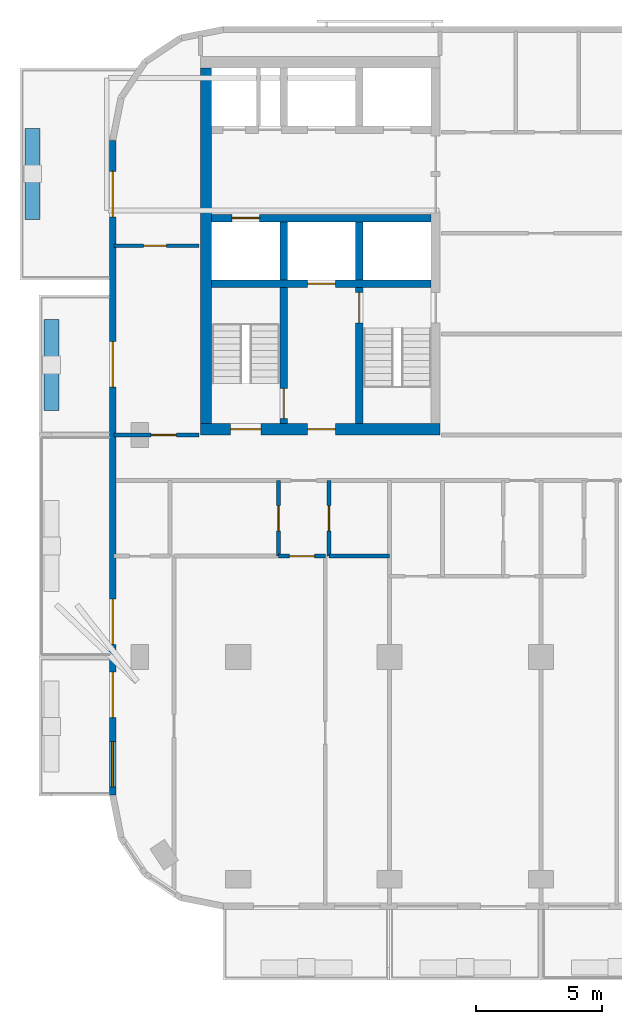
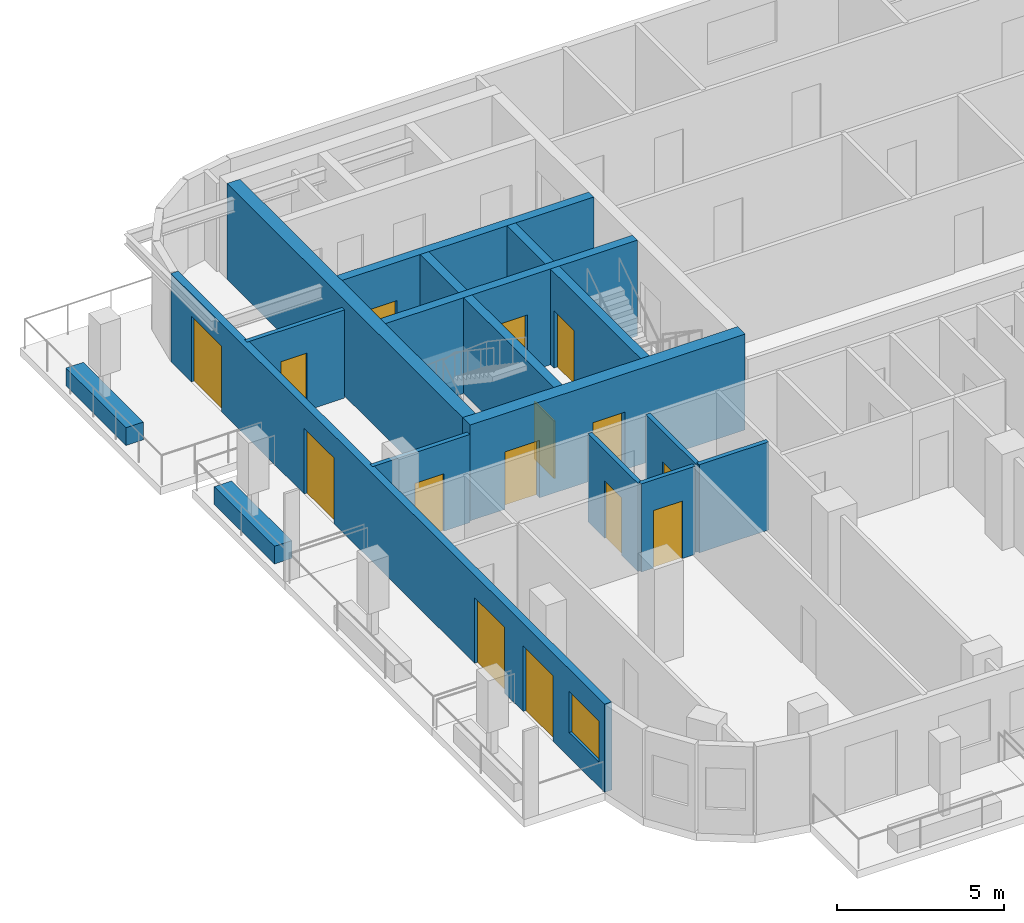
# One storey, part 3 of 11: 17 walls, 15 doors, 1 window, 16 openings.
"""IFC4 building model written with IfcOpenShell, lengths in metres."""

from ifc_helpers import new_model, si_unit, direction, frame, frame_2d, origin, place, context, subcontext, project, spatial, rectangle, extrude, material, layer, layer_set, type_object, element, fill, save


model = new_model("IFC4")

# Units and contexts
model_context = context("Model", 3, precision=1e-05, world=origin(), true_north=direction((0.0, 1.0)))
body_context = subcontext(model_context, "Body", "Model", "MODEL_VIEW")
ifc_project = project(units=[si_unit("LENGTHUNIT", "METRE"), si_unit("AREAUNIT", "SQUARE_METRE"), si_unit("VOLUMEUNIT", "CUBIC_METRE"), si_unit("PLANEANGLEUNIT", "RADIAN"), si_unit("MASSUNIT", "GRAM", prefix="KILO")], contexts=[model_context])

# Site, building, storey
site_placement = place(None, origin())
site = spatial("IfcSite", under=ifc_project, at=site_placement, CompositionType="ELEMENT")
building_placement = place(site_placement, origin())
building = spatial("IfcBuilding", under=site, at=building_placement, Name="Torana Hotel and Residences", CompositionType="ELEMENT")
storey_placement = place(building_placement, frame((0.0, 0.0, 252.60009765625)))
storey = spatial("IfcBuildingStorey", under=building, at=storey_placement, Name="L66", CompositionType="ELEMENT", Elevation=252.60009765625)

# Wall, opening, door
ifc_material_1 = material(Name="Concrete C60/75", Category="concrete")
ifc_layer_1 = layer(ifc_material_1, 0.300048828125)
ifc_layer_set_1 = layer_set([ifc_layer_1], Name="CORE WALL 300 C60/75")
wall_type_1 = type_object("IfcWallType", Name="CORE WALL 300 C60/75", PredefinedType="SHEAR", material=ifc_layer_set_1)
wall_1_placement = place(storey_placement, frame((-19.050048828125, -6.39990234375, 0.0), z_axis=(0.0, 0.0, 1.0), x_axis=(1.0, 0.0, 0.0)))
wall_1 = element("IfcWall", 1, at=wall_1_placement, inside=storey, type_object=wall_type_1, Name="Core wall W row-S", PredefinedType="SHEAR", context=body_context, shape_type="SweptSolid", body=[
    extrude(rectangle(XDim=8.699951171875, YDim=0.300048828125, at=frame_2d((4.35009765625, 0.0))), origin(), (0.0, 0.0, 1.0), 3.5),
])
opening_1_placement = place(wall_1_placement, frame((0.800048828125, 0.0, 0.0)))
opening_1 = element("IfcOpeningElement", 2, at=opening_1_placement, cuts=wall_1, Name="Opening LD", PredefinedType="OPENING", context=body_context, shape_type="SweptSolid", body=[
    extrude(rectangle(XDim=1.10009765625, YDim=2.10009765625, at=frame_2d((0.550048828125, 1.050048828125))), frame((0.0, 0.159912109375, 0.0), z_axis=(0.0, -1.0, 0.0), x_axis=(1.0, 0.0, 0.0)), (0.0, 0.0, 1.0), 0.320068359375),
])
ifc_material_2 = material(Name="Stainless steel 316", Category="steel")
door_type_1 = type_object("IfcDoorType", Name="LIFT LANDING DOOR LD 1100x2100", OperationType="DOUBLE_DOOR_SLIDING", PredefinedType="USERDEFINED", material=ifc_material_2)
door_1_placement = place(opening_1_placement, origin())
door_1 = element("IfcDoor", 3, at=door_1_placement, inside=storey, type_object=door_type_1, Name="Lift landing door SV1 L66", ObjectType="LIFT LANDING DOOR", OperationType="DOUBLE_DOOR_SLIDING", OverallHeight=2.10009765625, OverallWidth=1.10009765625, PredefinedType="USERDEFINED", context=body_context, shape_type="SweptSolid", body=[
    extrude(rectangle(XDim=1.10009765625, YDim=2.10009765625, at=frame_2d((0.550048828125, 1.050048828125))), frame((0.0, 0.02490234375, 0.0), z_axis=(0.0, -1.0, 0.0), x_axis=(1.0, 0.0, 0.0)), (0.0, 0.0, 1.0), 0.050048828125),
])
fill(opening_1, door_1)

wall_2_placement = place(storey_placement, frame((-19.050048828125, -9.0, 0.0), z_axis=(0.0, 0.0, 1.0), x_axis=(1.0, 0.0, 0.0)))
wall_2 = element("IfcWall", 4, at=wall_2_placement, inside=storey, type_object=wall_type_1, Name="Core wall W band", PredefinedType="SHEAR", context=body_context, shape_type="SweptSolid", body=[
    extrude(rectangle(XDim=8.699951171875, YDim=0.300048828125, at=frame_2d((4.35009765625, 0.0))), origin(), (0.0, 0.0, 1.0), 3.5),
])
opening_2_placement = place(wall_2_placement, frame((3.800048828125, 0.0, 0.0)))
opening_2 = element("IfcOpeningElement", 5, at=opening_2_placement, cuts=wall_2, Name="Opening LD", PredefinedType="OPENING", context=body_context, shape_type="SweptSolid", body=[
    extrude(rectangle(XDim=1.10009765625, YDim=2.10009765625, at=frame_2d((0.550048828125, 1.050048828125))), frame((0.0, 0.159912109375, 0.0), z_axis=(0.0, -1.0, 0.0), x_axis=(1.0, 0.0, 0.0)), (0.0, 0.0, 1.0), 0.320068359375),
])
door_2_placement = place(opening_2_placement, origin())
door_2 = element("IfcDoor", 6, at=door_2_placement, inside=storey, type_object=door_type_1, Name="Lift landing door FF1 L66", ObjectType="LIFT LANDING DOOR", OperationType="DOUBLE_DOOR_SLIDING", OverallHeight=2.10009765625, OverallWidth=1.10009765625, PredefinedType="USERDEFINED", context=body_context, shape_type="SweptSolid", body=[
    extrude(rectangle(XDim=1.10009765625, YDim=2.10009765625, at=frame_2d((0.550048828125, 1.050048828125))), frame((0.0, 0.02490234375, 0.0), z_axis=(0.0, -1.0, 0.0), x_axis=(1.0, 0.0, 0.0)), (0.0, 0.0, 1.0), 0.050048828125),
])
fill(opening_2, door_2)

# Wall
wall_3_placement = place(storey_placement, frame((-13.199951171875, -8.85009765625, 0.0), z_axis=(0.0, 0.0, 1.0), x_axis=(0.0, 1.0, 0.0)))
element("IfcWall", 7, at=wall_3_placement, inside=storey, type_object=wall_type_1, Name="Core wall W x3.05-S", PredefinedType="SHEAR", context=body_context, shape_type="SweptSolid", body=[
    extrude(rectangle(XDim=2.300048828125, YDim=0.300048828125, at=frame_2d((1.14990234375, 0.0))), origin(), (0.0, 0.0, 1.0), 3.5),
])

# Wall, opening, door
wall_4_placement = place(storey_placement, frame((-13.199951171875, -14.550048828125, 0.0), z_axis=(0.0, 0.0, 1.0), x_axis=(0.0, 1.0, 0.0)))
wall_4 = element("IfcWall", 8, at=wall_4_placement, inside=storey, type_object=wall_type_1, Name="Core wall W x3.05-band", PredefinedType="SHEAR", context=body_context, shape_type="SweptSolid", body=[
    extrude(rectangle(XDim=5.400146484375, YDim=0.300048828125, at=frame_2d((2.7001953125, 0.0))), origin(), (0.0, 0.0, 1.0), 3.5),
])
opening_3_placement = place(wall_4_placement, frame((4.0, 0.0, 0.0)))
opening_3 = element("IfcOpeningElement", 9, at=opening_3_placement, cuts=wall_4, Name="Opening L66-08", PredefinedType="OPENING", context=body_context, shape_type="SweptSolid", body=[
    extrude(rectangle(XDim=1.199951171875, YDim=2.10009765625, at=frame_2d((0.60009765625, 1.050048828125))), frame((0.0, 0.159912109375, 0.0), z_axis=(0.0, -1.0, 0.0), x_axis=(1.0, 0.0, 0.0)), (0.0, 0.0, 1.0), 0.320068359375),
])
ifc_material_3 = material(Name="Steel S235", Category="steel")
door_type_2 = type_object("IfcDoorType", Name="STAIR FIRE DOOR D3 1200x2100", OperationType="SINGLE_SWING_LEFT", PredefinedType="DOOR", material=ifc_material_3)
door_3_placement = place(opening_3_placement, frame((0.60009765625, 0.0, 0.0), z_axis=(0.0, 0.0, 1.0), x_axis=(-1.0, 0.0, 0.0)))
door_3 = element("IfcDoor", 10, at=door_3_placement, inside=storey, type_object=door_type_2, Name="Stair-A-lobby door L66", OperationType="SINGLE_SWING_RIGHT", OverallHeight=2.10009765625, OverallWidth=1.199951171875, PredefinedType="DOOR", context=body_context, shape_type="SweptSolid", body=[
    extrude(rectangle(XDim=1.199951171875, YDim=2.10009765625, at=frame_2d((0.0, 1.050048828125))), frame((0.0, -0.02490234375, 0.0), z_axis=(0.0, 1.0, 0.0), x_axis=(-1.0, 0.0, 0.0)), (0.0, 0.0, 1.0), 0.050048828125),
])
fill(opening_3, door_3)

# Wall
wall_5_placement = place(storey_placement, frame((-16.199951171875, -8.85009765625, 0.0), z_axis=(0.0, 0.0, 1.0), x_axis=(0.0, 1.0, 0.0)))
element("IfcWall", 11, at=wall_5_placement, inside=storey, type_object=wall_type_1, Name="Core wall W x6.05-S", PredefinedType="SHEAR", context=body_context, shape_type="SweptSolid", body=[
    extrude(rectangle(XDim=2.300048828125, YDim=0.300048828125, at=frame_2d((1.14990234375, 0.0))), origin(), (0.0, 0.0, 1.0), 3.5),
])

# Wall, opening, door
wall_6_placement = place(storey_placement, frame((-16.199951171875, -14.550048828125, 0.0), z_axis=(0.0, 0.0, 1.0), x_axis=(0.0, 1.0, 0.0)))
wall_6 = element("IfcWall", 12, at=wall_6_placement, inside=storey, type_object=wall_type_1, Name="Core wall W x6.05-band", PredefinedType="SHEAR", context=body_context, shape_type="SweptSolid", body=[
    extrude(rectangle(XDim=5.400146484375, YDim=0.300048828125, at=frame_2d((2.7001953125, 0.0))), origin(), (0.0, 0.0, 1.0), 3.5),
])
opening_4_placement = place(wall_6_placement, frame((0.199951171875, 0.0, 0.0)))
opening_4 = element("IfcOpeningElement", 13, at=opening_4_placement, cuts=wall_6, Name="Opening L66-09", PredefinedType="OPENING", context=body_context, shape_type="SweptSolid", body=[
    extrude(rectangle(XDim=1.199951171875, YDim=2.10009765625, at=frame_2d((0.60009765625, 1.050048828125))), frame((0.0, 0.159912109375, 0.0), z_axis=(0.0, -1.0, 0.0), x_axis=(1.0, 0.0, 0.0)), (0.0, 0.0, 1.0), 0.320068359375),
])
door_4_placement = place(opening_4_placement, origin())
door_4 = element("IfcDoor", 14, at=door_4_placement, inside=storey, type_object=door_type_2, Name="Stair-B-lobby door L66", OperationType="SINGLE_SWING_RIGHT", OverallHeight=2.10009765625, OverallWidth=1.199951171875, PredefinedType="DOOR", context=body_context, shape_type="SweptSolid", body=[
    extrude(rectangle(XDim=1.199951171875, YDim=2.10009765625, at=frame_2d((0.60009765625, 1.050048828125))), frame((0.0, 0.02490234375, 0.0), z_axis=(0.0, -1.0, 0.0), x_axis=(1.0, 0.0, 0.0)), (0.0, 0.0, 1.0), 0.050048828125),
])
fill(opening_4, door_4)

# Wall, openings, doors
ifc_material_4 = material(Name="Concrete C60/75", Category="concrete")
ifc_layer_2 = layer(ifc_material_4, 0.449951171875)
ifc_layer_set_2 = layer_set([ifc_layer_2], Name="CORE WALL 450 C60/75")
wall_type_2 = type_object("IfcWallType", Name="CORE WALL 450 C60/75", PredefinedType="SHEAR", material=ifc_layer_set_2)
wall_7_placement = place(storey_placement, frame((-19.5, -14.77490234375, 0.0), z_axis=(0.0, 0.0, 1.0), x_axis=(1.0, 0.0, 0.0)))
wall_7 = element("IfcWall", 15, at=wall_7_placement, inside=storey, type_object=wall_type_2, Name="Core wall W front", PredefinedType="SHEAR", context=body_context, shape_type="SweptSolid", body=[
    extrude(rectangle(XDim=9.5, YDim=0.449951171875, at=frame_2d((4.75, 0.0))), origin(), (0.0, 0.0, 1.0), 3.5),
])
opening_5_placement = place(wall_7_placement, frame((1.199951171875, 0.0, 0.0)))
opening_5 = element("IfcOpeningElement", 16, at=opening_5_placement, cuts=wall_7, Name="Opening L66-04", PredefinedType="OPENING", context=body_context, shape_type="SweptSolid", body=[
    extrude(rectangle(XDim=1.199951171875, YDim=2.10009765625, at=frame_2d((0.60009765625, 1.050048828125))), frame((0.0, 0.23486328125, 0.0), z_axis=(0.0, -1.0, 0.0), x_axis=(1.0, 0.0, 0.0)), (0.0, 0.0, 1.0), 0.469970703125),
])
opening_6_placement = place(wall_7_placement, frame((4.25, 0.0, 0.0)))
opening_6 = element("IfcOpeningElement", 17, at=opening_6_placement, cuts=wall_7, Name="Opening L66-05", PredefinedType="OPENING", context=body_context, shape_type="SweptSolid", body=[
    extrude(rectangle(XDim=1.10009765625, YDim=2.10009765625, at=frame_2d((0.550048828125, 1.050048828125))), frame((0.0, 0.23486328125, 0.0), z_axis=(0.0, -1.0, 0.0), x_axis=(1.0, 0.0, 0.0)), (0.0, 0.0, 1.0), 0.469970703125),
])
ifc_material_5 = material(Name="Steel S235", Category="steel")
door_type_3 = type_object("IfcDoorType", Name="FIRE-FIGHTING LOBBY DOOR D8 1100x2100", OperationType="SINGLE_SWING_LEFT", PredefinedType="DOOR", material=ifc_material_5)
door_5_placement = place(opening_6_placement, origin())
door_5 = element("IfcDoor", 18, at=door_5_placement, inside=storey, type_object=door_type_3, Name="FF-lobby door L66", OperationType="SINGLE_SWING_RIGHT", OverallHeight=2.10009765625, OverallWidth=1.10009765625, PredefinedType="DOOR", context=body_context, shape_type="SweptSolid", body=[
    extrude(rectangle(XDim=1.10009765625, YDim=2.10009765625, at=frame_2d((0.550048828125, 1.050048828125))), frame((0.0, 0.02490234375, 0.0), z_axis=(0.0, -1.0, 0.0), x_axis=(1.0, 0.0, 0.0)), (0.0, 0.0, 1.0), 0.050048828125),
])
fill(opening_6, door_5)
door_6_placement = place(opening_5_placement, origin())
door_6 = element("IfcDoor", 19, at=door_6_placement, inside=storey, type_object=door_type_2, Name="Stair-B door L66", OperationType="SINGLE_SWING_RIGHT", OverallHeight=2.10009765625, OverallWidth=1.199951171875, PredefinedType="DOOR", context=body_context, shape_type="SweptSolid", body=[
    extrude(rectangle(XDim=1.199951171875, YDim=2.10009765625, at=frame_2d((0.60009765625, 1.050048828125))), frame((0.0, 0.02490234375, 0.0), z_axis=(0.0, -1.0, 0.0), x_axis=(1.0, 0.0, 0.0)), (0.0, 0.0, 1.0), 0.050048828125),
])
fill(opening_5, door_6)

# Wall
wall_8_placement = place(storey_placement, frame((-19.27490234375, -14.550048828125, 0.0), z_axis=(0.0, 0.0, 1.0), x_axis=(0.0, 1.0, 0.0)))
element("IfcWall", 20, at=wall_8_placement, inside=storey, type_object=wall_type_2, Name="Core wall W outer", PredefinedType="SHEAR", context=body_context, shape_type="SweptSolid", body=[
    extrude(rectangle(XDim=14.10009765625, YDim=0.449951171875, at=frame_2d((7.050048828125, 0.0))), origin(), (0.0, 0.0, 1.0), 3.5),
])

# Wall, openings, doors, window
ifc_material_6 = material(Name="Black aluminium composite panel", Category="aluminium")
ifc_layer_3 = layer(ifc_material_6, 0.00390625, Name="Cladding", Category="cladding")
ifc_material_7 = material(Name="Ventilated air cavity")
ifc_layer_4 = layer(ifc_material_7, 0.0400390625, Name="Ventilated cavity", Category="cavity")
ifc_material_8 = material(Name="Mineral wool insulation")
ifc_layer_5 = layer(ifc_material_8, 0.090087890625, Name="Insulation", Category="insulation")
ifc_material_9 = material(Name="Steel S280GD", Category="steel")
ifc_layer_6 = layer(ifc_material_9, 0.092041015625, Name="Steel stud frame", Category="structure")
ifc_material_10 = material(Name="Fire rated plasterboard")
ifc_layer_7 = layer(ifc_material_10, 0.011962890625, Name="Inner board", Category="finish")
ifc_layer_8 = layer(ifc_material_10, 0.011962890625, Name="Second board", Category="finish")
ifc_layer_set_3 = layer_set([ifc_layer_3, ifc_layer_4, ifc_layer_5, ifc_layer_6, ifc_layer_7, ifc_layer_8], Name="EW1 EXTERNAL WALL BLACK METAL CLAD 250")
wall_type_3 = type_object("IfcWallType", Name="EW1 EXTERNAL WALL BLACK METAL CLAD 250", PredefinedType="SOLIDWALL", material=ifc_layer_set_3)
wall_9_placement = place(storey_placement, frame((-22.97509765625, -3.32470703125, 0.0), z_axis=(0.0, 0.0, 1.0), x_axis=(0.0, -1.0, 0.0)))
wall_9 = element("IfcWall", 21, at=wall_9_placement, inside=storey, type_object=wall_type_3, Name="External wall L66 e0.9", PredefinedType="SOLIDWALL", context=body_context, shape_type="SweptSolid", body=[
    extrude(rectangle(XDim=25.95068359375, YDim=0.25, at=frame_2d((12.975341796875, 0.0))), origin(), (0.0, 0.0, 1.0), 3.219970703125),
])
opening_7_placement = place(wall_9_placement, frame((1.225341796875, 0.0, 0.0)))
opening_7 = element("IfcOpeningElement", 22, at=opening_7_placement, cuts=wall_9, Name="Opening L66-E11", PredefinedType="OPENING", context=body_context, shape_type="SweptSolid", body=[
    extrude(rectangle(XDim=1.800048828125, YDim=2.39990234375, at=frame_2d((0.89990234375, 1.199951171875))), frame((0.0, 0.135009765625, 0.0), z_axis=(0.0, -1.0, 0.0), x_axis=(1.0, 0.0, 0.0)), (0.0, 0.0, 1.0), 0.27001953125),
])
opening_8_placement = place(wall_9_placement, frame((7.975341796875, 0.0, 0.0)))
opening_8 = element("IfcOpeningElement", 23, at=opening_8_placement, cuts=wall_9, Name="Opening L66-E12", PredefinedType="OPENING", context=body_context, shape_type="SweptSolid", body=[
    extrude(rectangle(XDim=1.800048828125, YDim=2.39990234375, at=frame_2d((0.89990234375, 1.199951171875))), frame((0.0, 0.135009765625, 0.0), z_axis=(0.0, -1.0, 0.0), x_axis=(1.0, 0.0, 0.0)), (0.0, 0.0, 1.0), 0.27001953125),
])
opening_9_placement = place(wall_9_placement, frame((18.17529296875, 0.0, 0.0)))
opening_9 = element("IfcOpeningElement", 24, at=opening_9_placement, cuts=wall_9, Name="Opening L66-E13", PredefinedType="OPENING", context=body_context, shape_type="SweptSolid", body=[
    extrude(rectangle(XDim=1.800048828125, YDim=2.39990234375, at=frame_2d((0.89990234375, 1.199951171875))), frame((0.0, 0.135009765625, 0.0), z_axis=(0.0, -1.0, 0.0), x_axis=(1.0, 0.0, 0.0)), (0.0, 0.0, 1.0), 0.27001953125),
])
opening_10_placement = place(wall_9_placement, frame((21.075439453125, 0.0, 0.0)))
opening_10 = element("IfcOpeningElement", 25, at=opening_10_placement, cuts=wall_9, Name="Opening L66-E14", PredefinedType="OPENING", context=body_context, shape_type="SweptSolid", body=[
    extrude(rectangle(XDim=1.800048828125, YDim=2.39990234375, at=frame_2d((0.89990234375, 1.199951171875))), frame((0.0, 0.135009765625, 0.0), z_axis=(0.0, -1.0, 0.0), x_axis=(1.0, 0.0, 0.0)), (0.0, 0.0, 1.0), 0.27001953125),
])
opening_11_placement = place(wall_9_placement, frame((23.825439453125, 0.0, 0.89990234375)))
opening_11 = element("IfcOpeningElement", 26, at=opening_11_placement, cuts=wall_9, Name="Opening W4", PredefinedType="OPENING", context=body_context, shape_type="SweptSolid", body=[
    extrude(rectangle(XDim=1.800048828125, YDim=1.5, at=frame_2d((0.89990234375, 0.75))), frame((0.0, 0.135009765625, 0.0), z_axis=(0.0, -1.0, 0.0), x_axis=(1.0, 0.0, 0.0)), (0.0, 0.0, 1.0), 0.27001953125),
])
ifc_material_11 = material(Name="Dark glass in black aluminium frame", Category="aluminium")
door_type_4 = type_object("IfcDoorType", Name="DB1 BALCONY DOOR 1800x2400", OperationType="DOUBLE_DOOR_SINGLE_SWING", PredefinedType="DOOR", material=ifc_material_11)
door_7_placement = place(opening_7_placement, origin())
door_7 = element("IfcDoor", 27, at=door_7_placement, inside=storey, type_object=door_type_4, Name="Balcony door L66", OperationType="DOUBLE_DOOR_SINGLE_SWING", OverallHeight=2.39990234375, OverallWidth=1.800048828125, PredefinedType="DOOR", context=body_context, shape_type="SweptSolid", body=[
    extrude(rectangle(XDim=1.800048828125, YDim=2.39990234375, at=frame_2d((0.89990234375, 1.199951171875))), frame((0.0, 0.02490234375, 0.0), z_axis=(0.0, -1.0, 0.0), x_axis=(1.0, 0.0, 0.0)), (0.0, 0.0, 1.0), 0.050048828125),
])
fill(opening_7, door_7)
door_8_placement = place(opening_8_placement, origin())
door_8 = element("IfcDoor", 28, at=door_8_placement, inside=storey, type_object=door_type_4, Name="Balcony door L66", OperationType="DOUBLE_DOOR_SINGLE_SWING", OverallHeight=2.39990234375, OverallWidth=1.800048828125, PredefinedType="DOOR", context=body_context, shape_type="SweptSolid", body=[
    extrude(rectangle(XDim=1.800048828125, YDim=2.39990234375, at=frame_2d((0.89990234375, 1.199951171875))), frame((0.0, 0.02490234375, 0.0), z_axis=(0.0, -1.0, 0.0), x_axis=(1.0, 0.0, 0.0)), (0.0, 0.0, 1.0), 0.050048828125),
])
fill(opening_8, door_8)
door_9_placement = place(opening_9_placement, origin())
door_9 = element("IfcDoor", 29, at=door_9_placement, inside=storey, type_object=door_type_4, Name="Balcony door L66", OperationType="DOUBLE_DOOR_SINGLE_SWING", OverallHeight=2.39990234375, OverallWidth=1.800048828125, PredefinedType="DOOR", context=body_context, shape_type="SweptSolid", body=[
    extrude(rectangle(XDim=1.800048828125, YDim=2.39990234375, at=frame_2d((0.89990234375, 1.199951171875))), frame((0.0, 0.02490234375, 0.0), z_axis=(0.0, -1.0, 0.0), x_axis=(1.0, 0.0, 0.0)), (0.0, 0.0, 1.0), 0.050048828125),
])
fill(opening_9, door_9)
door_10_placement = place(opening_10_placement, origin())
door_10 = element("IfcDoor", 30, at=door_10_placement, inside=storey, type_object=door_type_4, Name="Balcony door L66", OperationType="DOUBLE_DOOR_SINGLE_SWING", OverallHeight=2.39990234375, OverallWidth=1.800048828125, PredefinedType="DOOR", context=body_context, shape_type="SweptSolid", body=[
    extrude(rectangle(XDim=1.800048828125, YDim=2.39990234375, at=frame_2d((0.89990234375, 1.199951171875))), frame((0.0, 0.02490234375, 0.0), z_axis=(0.0, -1.0, 0.0), x_axis=(1.0, 0.0, 0.0)), (0.0, 0.0, 1.0), 0.050048828125),
])
fill(opening_10, door_10)
ifc_material_12 = material(Name="Dark glass in black aluminium frame", Category="aluminium")
window_type = type_object("IfcWindowType", Name="W4 RESIDENCE WINDOW NARROW 1800x1500", PartitioningType="SINGLE_PANEL", PredefinedType="WINDOW", material=ifc_material_12)
window_placement = place(opening_11_placement, origin())
window = element("IfcWindow", 31, at=window_placement, inside=storey, type_object=window_type, Name="Window L66", OverallHeight=1.5, OverallWidth=1.800048828125, PartitioningType="SINGLE_PANEL", PredefinedType="WINDOW", context=body_context, shape_type="SweptSolid", body=[
    extrude(rectangle(XDim=1.800048828125, YDim=1.5, at=frame_2d((0.89990234375, 0.75))), frame((0.0, 0.030029296875, 0.0), z_axis=(0.0, -1.0, 0.0), x_axis=(1.0, 0.0, 0.0)), (0.0, 0.0, 1.0), 0.06005859375),
])
fill(opening_11, window)

# Wall, opening, door
ifc_material_13 = material(Name="Gypsum plaster")
ifc_layer_9 = layer(ifc_material_13, 0.014892578125, Name="Plaster", Category="finish")
ifc_material_14 = material(Name="Concrete blockwork", Category="masonry")
ifc_layer_10 = layer(ifc_material_14, 0.1201171875, Name="Blockwork", Category="structure")
ifc_layer_11 = layer(ifc_material_13, 0.014892578125, Name="Plaster", Category="finish")
ifc_layer_set_4 = layer_set([ifc_layer_9, ifc_layer_10, ifc_layer_11], Name="FIRE PARTITION 150 BLOCKWORK")
wall_type_4 = type_object("IfcWallType", Name="FIRE PARTITION 150 BLOCKWORK", PredefinedType="PARTITIONING", material=ifc_layer_set_4)
wall_10_placement = place(storey_placement, frame((-14.39990234375, -19.800048828125, 0.0), z_axis=(0.0, 0.0, 1.0), x_axis=(0.0, 1.0, 0.0)))
wall_10 = element("IfcWall", 32, at=wall_10_placement, inside=storey, type_object=wall_type_4, Name="Partition L66", PredefinedType="PARTITIONING", context=body_context, shape_type="SweptSolid", body=[
    extrude(rectangle(XDim=3.0, YDim=0.14990234375, at=frame_2d((1.5, 0.0))), origin(), (0.0, 0.0, 1.0), 3.219970703125),
])
opening_12_placement = place(wall_10_placement, frame((1.0, 0.0, 0.0)))
opening_12 = element("IfcOpeningElement", 33, at=opening_12_placement, cuts=wall_10, Name="Opening L66-47", PredefinedType="OPENING", context=body_context, shape_type="SweptSolid", body=[
    extrude(rectangle(XDim=1.0, YDim=2.10009765625, at=frame_2d((0.5, 1.050048828125))), frame((0.0, 0.0849609375, 0.0), z_axis=(0.0, -1.0, 0.0), x_axis=(1.0, 0.0, 0.0)), (0.0, 0.0, 1.0), 0.169921875),
])
ifc_material_15 = material(Name="Steel S235", Category="steel")
door_type_5 = type_object("IfcDoorType", Name="ENTRY FIRE DOOR D6 1000x2100", OperationType="SINGLE_SWING_LEFT", PredefinedType="DOOR", material=ifc_material_15)
door_11_placement = place(opening_12_placement, frame((0.5, 0.0, 0.0), z_axis=(0.0, 0.0, 1.0), x_axis=(-1.0, 0.0, 0.0)))
door_11 = element("IfcDoor", 34, at=door_11_placement, inside=storey, type_object=door_type_5, Name="Door L66", OperationType="SINGLE_SWING_LEFT", OverallHeight=2.10009765625, OverallWidth=1.0, PredefinedType="DOOR", context=body_context, shape_type="SweptSolid", body=[
    extrude(rectangle(XDim=1.0, YDim=2.10009765625, at=frame_2d((0.0, 1.050048828125))), frame((0.0, -0.02490234375, 0.0), z_axis=(0.0, 1.0, 0.0), x_axis=(-1.0, 0.0, 0.0)), (0.0, 0.0, 1.0), 0.050048828125),
])
fill(opening_12, door_11)

wall_11_placement = place(storey_placement, frame((-16.39990234375, -19.800048828125, 0.0), z_axis=(0.0, 0.0, 1.0), x_axis=(0.0, 1.0, 0.0)))
wall_11 = element("IfcWall", 35, at=wall_11_placement, inside=storey, type_object=wall_type_4, Name="Partition L66", PredefinedType="PARTITIONING", context=body_context, shape_type="SweptSolid", body=[
    extrude(rectangle(XDim=3.0, YDim=0.14990234375, at=frame_2d((1.5, 0.0))), origin(), (0.0, 0.0, 1.0), 3.219970703125),
])
opening_13_placement = place(wall_11_placement, frame((1.0, 0.0, 0.0)))
opening_13 = element("IfcOpeningElement", 36, at=opening_13_placement, cuts=wall_11, Name="Opening L66-48", PredefinedType="OPENING", context=body_context, shape_type="SweptSolid", body=[
    extrude(rectangle(XDim=1.0, YDim=2.10009765625, at=frame_2d((0.5, 1.050048828125))), frame((0.0, 0.0849609375, 0.0), z_axis=(0.0, -1.0, 0.0), x_axis=(1.0, 0.0, 0.0)), (0.0, 0.0, 1.0), 0.169921875),
])
door_12_placement = place(opening_13_placement, origin())
door_12 = element("IfcDoor", 37, at=door_12_placement, inside=storey, type_object=door_type_5, Name="Door L66", OperationType="SINGLE_SWING_RIGHT", OverallHeight=2.10009765625, OverallWidth=1.0, PredefinedType="DOOR", context=body_context, shape_type="SweptSolid", body=[
    extrude(rectangle(XDim=1.0, YDim=2.10009765625, at=frame_2d((0.5, 1.050048828125))), frame((0.0, 0.02490234375, 0.0), z_axis=(0.0, -1.0, 0.0), x_axis=(1.0, 0.0, 0.0)), (0.0, 0.0, 1.0), 0.050048828125),
])
fill(opening_13, door_12)

wall_12_placement = place(storey_placement, frame((-16.39990234375, -19.800048828125, 0.0), z_axis=(0.0, 0.0, 1.0), x_axis=(1.0, 0.0, 0.0)))
wall_12 = element("IfcWall", 38, at=wall_12_placement, inside=storey, type_object=wall_type_4, Name="Partition L66", PredefinedType="PARTITIONING", context=body_context, shape_type="SweptSolid", body=[
    extrude(rectangle(XDim=1.849853515625, YDim=0.14990234375, at=frame_2d((0.9248046875, 0.0))), origin(), (0.0, 0.0, 1.0), 3.219970703125),
])
opening_14_placement = place(wall_12_placement, frame((0.425048828125, 0.0, 0.0)))
opening_14 = element("IfcOpeningElement", 39, at=opening_14_placement, cuts=wall_12, Name="Opening L66-49", PredefinedType="OPENING", context=body_context, shape_type="SweptSolid", body=[
    extrude(rectangle(XDim=1.0, YDim=2.10009765625, at=frame_2d((0.5, 1.050048828125))), frame((0.0, 0.0849609375, 0.0), z_axis=(0.0, -1.0, 0.0), x_axis=(1.0, 0.0, 0.0)), (0.0, 0.0, 1.0), 0.169921875),
])
door_13_placement = place(opening_14_placement, frame((0.5, 0.0, 0.0), z_axis=(0.0, 0.0, 1.0), x_axis=(-1.0, 0.0, 0.0)))
door_13 = element("IfcDoor", 40, at=door_13_placement, inside=storey, type_object=door_type_5, Name="Door L66", OperationType="SINGLE_SWING_RIGHT", OverallHeight=2.10009765625, OverallWidth=1.0, PredefinedType="DOOR", context=body_context, shape_type="SweptSolid", body=[
    extrude(rectangle(XDim=1.0, YDim=2.10009765625, at=frame_2d((0.0, 1.050048828125))), frame((0.0, -0.02490234375, 0.0), z_axis=(0.0, 1.0, 0.0), x_axis=(-1.0, 0.0, 0.0)), (0.0, 0.0, 1.0), 0.050048828125),
])
fill(opening_14, door_13)

wall_13_placement = place(storey_placement, frame((-22.919921875, -15.0, 0.0), z_axis=(0.0, 0.0, 1.0), x_axis=(1.0, 0.0, 0.0)))
wall_13 = element("IfcWall", 41, at=wall_13_placement, inside=storey, type_object=wall_type_4, Name="Partition L66", PredefinedType="PARTITIONING", context=body_context, shape_type="SweptSolid", body=[
    extrude(rectangle(XDim=3.369873046875, YDim=0.14990234375, at=frame_2d((1.68505859375, 0.0))), origin(), (0.0, 0.0, 1.0), 3.219970703125),
])
opening_15_placement = place(wall_13_placement, frame((1.469970703125, 0.0, 0.0)))
opening_15 = element("IfcOpeningElement", 42, at=opening_15_placement, cuts=wall_13, Name="Opening L66-29", PredefinedType="OPENING", context=body_context, shape_type="SweptSolid", body=[
    extrude(rectangle(XDim=1.0, YDim=2.10009765625, at=frame_2d((0.5, 1.050048828125))), frame((0.0, 0.0849609375, 0.0), z_axis=(0.0, -1.0, 0.0), x_axis=(1.0, 0.0, 0.0)), (0.0, 0.0, 1.0), 0.169921875),
])
ifc_material_16 = material(Name="Steel S235", Category="steel")
door_type_6 = type_object("IfcDoorType", Name="CORE ROOM FIRE DOOR D14 1000x2100", OperationType="SINGLE_SWING_LEFT", PredefinedType="DOOR", material=ifc_material_16)
door_14_placement = place(opening_15_placement, origin())
door_14 = element("IfcDoor", 43, at=door_14_placement, inside=storey, type_object=door_type_6, Name="Door L66", OperationType="SINGLE_SWING_RIGHT", OverallHeight=2.10009765625, OverallWidth=1.0, PredefinedType="DOOR", context=body_context, shape_type="SweptSolid", body=[
    extrude(rectangle(XDim=1.0, YDim=2.10009765625, at=frame_2d((0.5, 1.050048828125))), frame((0.0, 0.02490234375, 0.0), z_axis=(0.0, -1.0, 0.0), x_axis=(1.0, 0.0, 0.0)), (0.0, 0.0, 1.0), 0.050048828125),
])
fill(opening_15, door_14)

# Wall
ifc_material_17 = material(Name="Gypsum plasterboard")
ifc_layer_12 = layer(ifc_material_17, 0.012451171875, Name="Plasterboard", Category="finish")
ifc_layer_13 = layer(ifc_material_17, 0.012451171875, Name="Plasterboard", Category="finish")
ifc_layer_14 = layer(ifc_material_9, 0.10009765625, Name="Steel studs with mineral wool", Category="insulation")
ifc_layer_15 = layer(ifc_material_17, 0.012451171875, Name="Plasterboard", Category="finish")
ifc_layer_16 = layer(ifc_material_17, 0.012451171875, Name="Plasterboard", Category="finish")
ifc_layer_set_5 = layer_set([ifc_layer_12, ifc_layer_13, ifc_layer_14, ifc_layer_15, ifc_layer_16], Name="PARTITION 150 PLASTERBOARD")
wall_type_5 = type_object("IfcWallType", Name="PARTITION 150 PLASTERBOARD", PredefinedType="PARTITIONING", material=ifc_layer_set_5)
wall_14_placement = place(storey_placement, frame((-14.39990234375, -19.800048828125, 0.0), z_axis=(0.0, 0.0, 1.0), x_axis=(1.0, 0.0, 0.0)))
element("IfcWall", 44, at=wall_14_placement, inside=storey, type_object=wall_type_5, Name="Partition L66", PredefinedType="PARTITIONING", context=body_context, shape_type="SweptSolid", body=[
    extrude(rectangle(XDim=2.39990234375, YDim=0.14990234375, at=frame_2d((1.199951171875, 0.0))), origin(), (0.0, 0.0, 1.0), 3.219970703125),
])

# Wall, opening, door
wall_15_placement = place(storey_placement, frame((-22.919921875, -7.5, 0.0), z_axis=(0.0, 0.0, 1.0), x_axis=(1.0, 0.0, 0.0)))
wall_15 = element("IfcWall", 45, at=wall_15_placement, inside=storey, type_object=wall_type_5, Name="Partition L66", PredefinedType="PARTITIONING", context=body_context, shape_type="SweptSolid", body=[
    extrude(rectangle(XDim=3.369873046875, YDim=0.14990234375, at=frame_2d((1.68505859375, 0.0))), origin(), (0.0, 0.0, 1.0), 3.219970703125),
])
opening_16_placement = place(wall_15_placement, frame((1.169921875, 0.0, 0.0)))
opening_16 = element("IfcOpeningElement", 46, at=opening_16_placement, cuts=wall_15, Name="Opening L66-61", PredefinedType="OPENING", context=body_context, shape_type="SweptSolid", body=[
    extrude(rectangle(XDim=0.89990234375, YDim=2.10009765625, at=frame_2d((0.449951171875, 1.050048828125))), frame((0.0, 0.0849609375, 0.0), z_axis=(0.0, -1.0, 0.0), x_axis=(1.0, 0.0, 0.0)), (0.0, 0.0, 1.0), 0.169921875),
])
ifc_material_18 = material(Name="Timber door, oiled ash", Category="wood")
door_type_7 = type_object("IfcDoorType", Name="ROOM DOOR D7 900x2100", OperationType="SINGLE_SWING_LEFT", PredefinedType="DOOR", material=ifc_material_18)
door_15_placement = place(opening_16_placement, origin())
door_15 = element("IfcDoor", 47, at=door_15_placement, inside=storey, type_object=door_type_7, Name="Door L66", OperationType="SINGLE_SWING_RIGHT", OverallHeight=2.10009765625, OverallWidth=0.89990234375, PredefinedType="DOOR", context=body_context, shape_type="SweptSolid", body=[
    extrude(rectangle(XDim=0.89990234375, YDim=2.10009765625, at=frame_2d((0.449951171875, 1.050048828125))), frame((0.0, 0.02490234375, 0.0), z_axis=(0.0, -1.0, 0.0), x_axis=(1.0, 0.0, 0.0)), (0.0, 0.0, 1.0), 0.050048828125),
])
fill(opening_16, door_15)

# Walls
ifc_material_19 = material(Name="Concrete C40/50 precast", Category="concrete")
ifc_layer_17 = layer(ifc_material_19, 0.10009765625, Name="Planter shell", Category="structure")
ifc_material_20 = material(Name="Root resistant membrane")
ifc_layer_18 = layer(ifc_material_20, 0.00390625, Name="Waterproofing membrane", Category="membrane")
ifc_material_21 = material(Name="Drainage board with filter fleece")
ifc_layer_19 = layer(ifc_material_21, 0.02001953125, Name="Drainage board", Category="drainage")
ifc_material_22 = material(Name="Growing medium")
ifc_layer_20 = layer(ifc_material_22, 0.47607421875, Name="Planting substrate", Category="soil")
ifc_layer_set_6 = layer_set([ifc_layer_17, ifc_layer_18, ifc_layer_19, ifc_layer_20], Name="PL1 BALCONY PLANTER 600")
wall_type_6 = type_object("IfcWallType", Name="PL1 BALCONY PLANTER 600", PredefinedType="USERDEFINED", material=ifc_layer_set_6)
for number, where, z_axis, x_axis, name in (
    (48, (-25.39990234375, -14.02490234375, 0.0), (0.0, 0.0, 1.0), (0.0, 1.0, 0.0), "Planter 09"),
    (49, (-26.14990234375, -6.449951171875, 0.0), (0.0, 0.0, 1.0), (0.0, 1.0, 0.0), "Planter 10"),
):
    element("IfcWall", number, at=place(storey_placement, frame(where, z_axis=z_axis, x_axis=x_axis)), inside=storey, type_object=wall_type_6, Name=name, ObjectType="PLANTER", PredefinedType="USERDEFINED", context=body_context, shape_type="SweptSolid", body=[
        extrude(rectangle(XDim=3.599853515625, YDim=0.60009765625, at=frame_2d((1.7998046875, 0.0))), origin(), (0.0, 0.0, 1.0), 0.64990234375),
    ])

save(model, "model.ifc")
